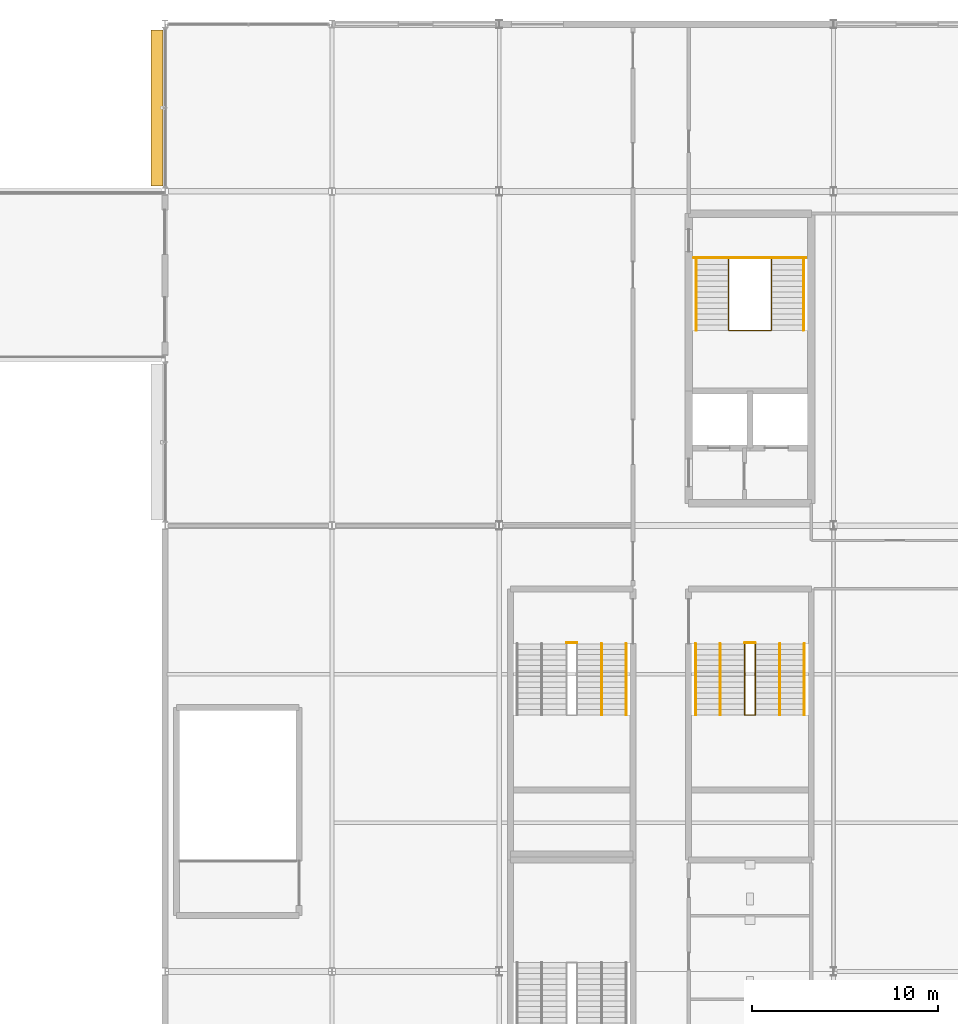
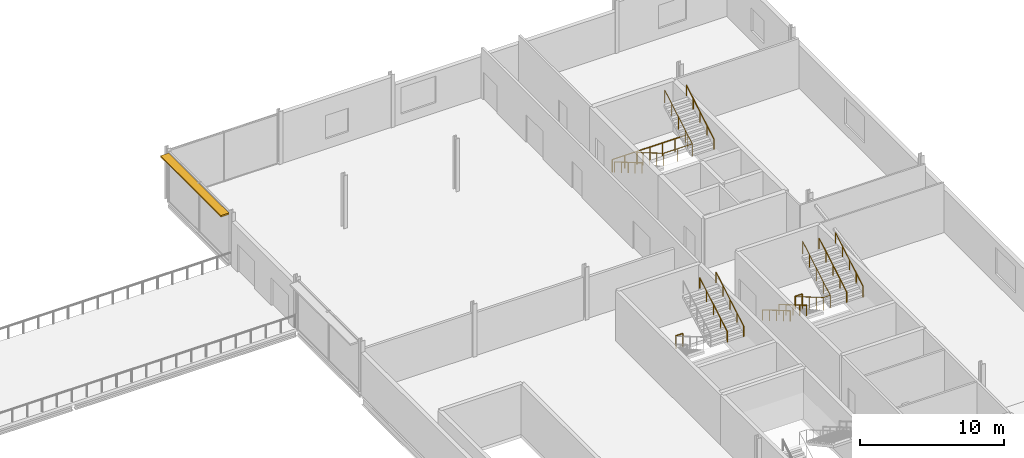
# One storey, part 72 of 73: 13 railings, 1 shading device.
"""IFC4 building model written with IfcOpenShell, lengths in metres."""

from ifc_helpers import new_model, si_unit, direction, frame, origin, origin_2d, place, context, subcontext, project, spatial, rectangle, circle, extrude, material, type_object, element, save


model = new_model("IFC4")

# Units and contexts
model_context = context("Model", 3, precision=1e-05, world=origin(), true_north=direction((0.0, 1.0)))
body_context = subcontext(model_context, "Body", "Model", "MODEL_VIEW")
ifc_project = project(units=[si_unit("LENGTHUNIT", "METRE"), si_unit("AREAUNIT", "SQUARE_METRE"), si_unit("VOLUMEUNIT", "CUBIC_METRE"), si_unit("PLANEANGLEUNIT", "RADIAN"), si_unit("MASSUNIT", "GRAM", prefix="KILO")], contexts=[model_context])

# Site, building, storey
site_placement = place(None, origin())
site = spatial("IfcSite", under=ifc_project, at=site_placement, CompositionType="ELEMENT")
building_placement = place(site_placement, origin())
building = spatial("IfcBuilding", under=site, at=building_placement, Name="Kisiwana Market Hall", CompositionType="ELEMENT")
storey_placement = place(building_placement, frame((0.0, 0.0, 33.300048828125)))
storey = spatial("IfcBuildingStorey", under=building, at=storey_placement, Name="L07", CompositionType="ELEMENT", Elevation=33.300048828125)

# Railings
ifc_material_1 = material(Name="Steel S275", Category="steel")
railing_type_1 = type_object("IfcRailingType", Name="RL-GUARD-1100", PredefinedType="GUARDRAIL", material=ifc_material_1)
railing_1_placement = place(storey_placement, frame((183.35009765625, 98.3505859375, 0.0)))
element("IfcRailing", 1, at=railing_1_placement, inside=storey, type_object=railing_type_1, Name="Stair ST-E1-L07 inner-well guardrail (RL-1063)", PredefinedType="GUARDRAIL", context=body_context, shape_type="SweptSolid", body=[
    extrude(circle(Radius=0.02392578125, at=origin_2d()), frame((0.0, 0.0, 1.076171875), z_axis=(0.0, -0.86252362769, 0.506016789916), x_axis=(1.0, 0.0, 0.0)), (0.0, 0.0, 1.0), 4.446533203125),
    extrude(circle(Radius=0.02392578125, at=origin_2d()), frame((0.0, -3.835205078125, 3.326171875), z_axis=(1.0, 0.0, 0.0), x_axis=(0.0, 1.0, 0.0)), (0.0, 0.0, 1.0), 2.2998046875),
    extrude(circle(Radius=0.02392578125, at=origin_2d()), frame((2.2998046875, -3.835205078125, 3.326171875), z_axis=(0.0, 0.86252362769, 0.506016789916), x_axis=(-1.0, 0.0, 0.0)), (0.0, 0.0, 1.0), 4.446533203125),
    extrude(circle(Radius=0.02099609375, at=origin_2d()), origin(), (0.0, 0.0, 1.0), 1.052001953125),
    extrude(circle(Radius=0.02099609375, at=origin_2d()), frame((0.0, -0.958740234375, 0.5625)), (0.0, 0.0, 1.0), 1.052001953125),
    extrude(circle(Radius=0.02099609375, at=origin_2d()), frame((0.0, -1.91748046875, 1.125)), (0.0, 0.0, 1.0), 1.052001953125),
    extrude(circle(Radius=0.02099609375, at=origin_2d()), frame((0.0, -2.87646484375, 1.6875)), (0.0, 0.0, 1.0), 1.052001953125),
    extrude(circle(Radius=0.02099609375, at=origin_2d()), frame((0.0, -3.835205078125, 2.25)), (0.0, 0.0, 1.0), 1.052001953125),
    extrude(circle(Radius=0.02099609375, at=origin_2d()), frame((1.14990234375, -3.835205078125, 2.25)), (0.0, 0.0, 1.0), 1.052001953125),
    extrude(circle(Radius=0.02099609375, at=origin_2d()), frame((2.2998046875, -3.835205078125, 2.25)), (0.0, 0.0, 1.0), 1.052001953125),
    extrude(circle(Radius=0.02099609375, at=origin_2d()), frame((2.2998046875, -2.87646484375, 2.8125)), (0.0, 0.0, 1.0), 1.052001953125),
    extrude(circle(Radius=0.02099609375, at=origin_2d()), frame((2.2998046875, -1.91748046875, 3.375)), (0.0, 0.0, 1.0), 1.052001953125),
    extrude(circle(Radius=0.02099609375, at=origin_2d()), frame((2.2998046875, -0.958740234375, 3.9375)), (0.0, 0.0, 1.0), 1.052001953125),
    extrude(circle(Radius=0.02099609375, at=origin_2d()), frame((2.2998046875, 0.0, 4.5)), (0.0, 0.0, 1.0), 1.052001953125),
])
railing_2_placement = place(storey_placement, frame((181.47998046875, 98.430419921875, 0.0)))
element("IfcRailing", 2, at=railing_2_placement, inside=storey, type_object=railing_type_1, Name="Stair ST-E1-L07 landing edge guardrail (RL-1066)", PredefinedType="GUARDRAIL", context=body_context, shape_type="SweptSolid", body=[
    extrude(circle(Radius=0.02392578125, at=origin_2d()), frame((0.0, 0.0, 1.076171875), z_axis=(1.0, 0.0, 0.0), x_axis=(0.0, 1.0, 0.0)), (0.0, 0.0, 1.0), 6.0400390625),
    extrude(circle(Radius=0.02099609375, at=origin_2d()), origin(), (0.0, 0.0, 1.0), 1.052001953125),
    extrude(circle(Radius=0.02099609375, at=origin_2d()), frame((1.006591796875, 0.0, 0.0)), (0.0, 0.0, 1.0), 1.052001953125),
    extrude(circle(Radius=0.02099609375, at=origin_2d()), frame((2.013427734375, 0.0, 0.0)), (0.0, 0.0, 1.0), 1.052001953125),
    extrude(circle(Radius=0.02099609375, at=origin_2d()), frame((3.02001953125, 0.0, 0.0)), (0.0, 0.0, 1.0), 1.052001953125),
    extrude(circle(Radius=0.02099609375, at=origin_2d()), frame((4.026611328125, 0.0, 0.0)), (0.0, 0.0, 1.0), 1.052001953125),
    extrude(circle(Radius=0.02099609375, at=origin_2d()), frame((5.033447265625, 0.0, 0.0)), (0.0, 0.0, 1.0), 1.052001953125),
    extrude(circle(Radius=0.02099609375, at=origin_2d()), frame((6.0400390625, 0.0, 0.0)), (0.0, 0.0, 1.0), 1.052001953125),
])
railing_3_placement = place(storey_placement, frame((184.219970703125, 77.639892578125, 0.0)))
element("IfcRailing", 3, at=railing_3_placement, inside=storey, type_object=railing_type_1, Name="Stair ST-E4-L07 inner-well guardrail (RL-1085)", PredefinedType="GUARDRAIL", context=body_context, shape_type="SweptSolid", body=[
    extrude(circle(Radius=0.02392578125, at=origin_2d()), frame((0.0, 0.0, 1.076171875), z_axis=(0.0, -0.86250956776, 0.506040754805), x_axis=(1.0, 0.0, 0.0)), (0.0, 0.0, 1.0), 4.4462890625),
    extrude(circle(Radius=0.02392578125, at=origin_2d()), frame((0.0, -3.8349609375, 3.326171875), z_axis=(1.0, 0.0, 0.0), x_axis=(0.0, 1.0, 0.0)), (0.0, 0.0, 1.0), 0.56005859375),
    extrude(circle(Radius=0.02392578125, at=origin_2d()), frame((0.56005859375, -3.8349609375, 3.326171875), z_axis=(0.0, 0.86250956776, 0.506040754805), x_axis=(-1.0, 0.0, 0.0)), (0.0, 0.0, 1.0), 4.4462890625),
    extrude(circle(Radius=0.02099609375, at=origin_2d()), origin(), (0.0, 0.0, 1.0), 1.052001953125),
    extrude(circle(Radius=0.02099609375, at=origin_2d()), frame((0.0, -0.958740234375, 0.5625)), (0.0, 0.0, 1.0), 1.052001953125),
    extrude(circle(Radius=0.02099609375, at=origin_2d()), frame((0.0, -1.91748046875, 1.125)), (0.0, 0.0, 1.0), 1.052001953125),
    extrude(circle(Radius=0.02099609375, at=origin_2d()), frame((0.0, -2.876220703125, 1.6875)), (0.0, 0.0, 1.0), 1.052001953125),
    extrude(circle(Radius=0.02099609375, at=origin_2d()), frame((0.0, -3.8349609375, 2.25)), (0.0, 0.0, 1.0), 1.052001953125),
    extrude(circle(Radius=0.02099609375, at=origin_2d()), frame((0.56005859375, -3.8349609375, 2.25)), (0.0, 0.0, 1.0), 1.052001953125),
    extrude(circle(Radius=0.02099609375, at=origin_2d()), frame((0.56005859375, -2.876220703125, 2.8125)), (0.0, 0.0, 1.0), 1.052001953125),
    extrude(circle(Radius=0.02099609375, at=origin_2d()), frame((0.56005859375, -1.91748046875, 3.375)), (0.0, 0.0, 1.0), 1.052001953125),
    extrude(circle(Radius=0.02099609375, at=origin_2d()), frame((0.56005859375, -0.958740234375, 3.9375)), (0.0, 0.0, 1.0), 1.052001953125),
    extrude(circle(Radius=0.02099609375, at=origin_2d()), frame((0.56005859375, 0.0, 4.5)), (0.0, 0.0, 1.0), 1.052001953125),
])
railing_4_placement = place(storey_placement, frame((184.219970703125, 77.68994140625, 0.0)))
element("IfcRailing", 4, at=railing_4_placement, inside=storey, type_object=railing_type_1, Name="Stair ST-E4-L07 landing edge guardrail (RL-1090)", PredefinedType="GUARDRAIL", context=body_context, shape_type="SweptSolid", body=[
    extrude(circle(Radius=0.02392578125, at=origin_2d()), frame((0.0, 0.0, 1.076171875), z_axis=(1.0, 0.0, 0.0), x_axis=(0.0, 1.0, 0.0)), (0.0, 0.0, 1.0), 0.56005859375),
    extrude(circle(Radius=0.02099609375, at=origin_2d()), origin(), (0.0, 0.0, 1.0), 1.052001953125),
    extrude(circle(Radius=0.02099609375, at=origin_2d()), frame((0.56005859375, 0.0, 0.0)), (0.0, 0.0, 1.0), 1.052001953125),
])
railing_5_placement = place(storey_placement, frame((174.6201171875, 77.68994140625, 0.0)))
element("IfcRailing", 5, at=railing_5_placement, inside=storey, type_object=railing_type_1, Name="Stair ST-E8-L07 landing edge guardrail (RL-1114)", PredefinedType="GUARDRAIL", context=body_context, shape_type="SweptSolid", body=[
    extrude(circle(Radius=0.02392578125, at=origin_2d()), frame((0.0, 0.0, 1.076171875), z_axis=(1.0, 0.0, 0.0), x_axis=(0.0, 1.0, 0.0)), (0.0, 0.0, 1.0), 0.559814453125),
    extrude(circle(Radius=0.02099609375, at=origin_2d()), origin(), (0.0, 0.0, 1.0), 1.052001953125),
    extrude(circle(Radius=0.02099609375, at=origin_2d()), frame((0.559814453125, 0.0, 0.0)), (0.0, 0.0, 1.0), 1.052001953125),
])
ifc_material_2 = material(Name="Steel S275", Category="steel")
railing_type_2 = type_object("IfcRailingType", Name="RL-HAND-900", PredefinedType="HANDRAIL", material=ifc_material_2)
railing_6_placement = place(storey_placement, frame((181.610107421875, 98.3505859375, 0.0)))
element("IfcRailing", 6, at=railing_6_placement, inside=storey, type_object=railing_type_2, Name="Stair ST-E1-L07 flight 1 handrail (RL-1064)", PredefinedType="HANDRAIL", context=body_context, shape_type="SweptSolid", body=[
    extrude(circle(Radius=0.02392578125, at=origin_2d()), frame((0.0, 0.0, 0.8759765625), z_axis=(0.0, -0.86252362769, 0.506016789916), x_axis=(1.0, 0.0, 0.0)), (0.0, 0.0, 1.0), 4.446533203125),
    extrude(circle(Radius=0.02099609375, at=origin_2d()), origin(), (0.0, 0.0, 1.0), 0.851806640625),
    extrude(circle(Radius=0.02099609375, at=origin_2d()), frame((0.0, -0.958740234375, 0.5625)), (0.0, 0.0, 1.0), 0.851806640625),
    extrude(circle(Radius=0.02099609375, at=origin_2d()), frame((0.0, -1.91748046875, 1.125)), (0.0, 0.0, 1.0), 0.851806640625),
    extrude(circle(Radius=0.02099609375, at=origin_2d()), frame((0.0, -2.87646484375, 1.6875)), (0.0, 0.0, 1.0), 0.851806640625),
    extrude(circle(Radius=0.02099609375, at=origin_2d()), frame((0.0, -3.835205078125, 2.25)), (0.0, 0.0, 1.0), 0.851806640625),
])
railing_7_placement = place(storey_placement, frame((187.389892578125, 94.515380859375, 2.25)))
element("IfcRailing", 7, at=railing_7_placement, inside=storey, type_object=railing_type_2, Name="Stair ST-E1-L07 flight 2 handrail (RL-1065)", PredefinedType="HANDRAIL", context=body_context, shape_type="SweptSolid", body=[
    extrude(circle(Radius=0.02392578125, at=origin_2d()), frame((0.0, 0.0, 0.8759765625), z_axis=(0.0, 0.86252362769, 0.506016789916), x_axis=(-1.0, 0.0, 0.0)), (0.0, 0.0, 1.0), 4.446533203125),
    extrude(circle(Radius=0.02099609375, at=origin_2d()), origin(), (0.0, 0.0, 1.0), 0.851806640625),
    extrude(circle(Radius=0.02099609375, at=origin_2d()), frame((0.0, 0.958740234375, 0.5625)), (0.0, 0.0, 1.0), 0.851806640625),
    extrude(circle(Radius=0.02099609375, at=origin_2d()), frame((0.0, 1.91748046875, 1.125)), (0.0, 0.0, 1.0), 0.851806640625),
    extrude(circle(Radius=0.02099609375, at=origin_2d()), frame((0.0, 2.87646484375, 1.6875)), (0.0, 0.0, 1.0), 0.851806640625),
    extrude(circle(Radius=0.02099609375, at=origin_2d()), frame((0.0, 3.835205078125, 2.25)), (0.0, 0.0, 1.0), 0.851806640625),
])
railing_8_placement = place(storey_placement, frame((181.570068359375, 77.639892578125, 0.0)))
element("IfcRailing", 8, at=railing_8_placement, inside=storey, type_object=railing_type_2, Name="Stair ST-E4-L07 flight 1 handrail (RL-1086)", PredefinedType="HANDRAIL", context=body_context, shape_type="SweptSolid", body=[
    extrude(circle(Radius=0.02392578125, at=origin_2d()), frame((0.0, 0.0, 0.8759765625), z_axis=(0.0, -0.86250956776, 0.506040754805), x_axis=(1.0, 0.0, 0.0)), (0.0, 0.0, 1.0), 4.4462890625),
    extrude(circle(Radius=0.02099609375, at=origin_2d()), origin(), (0.0, 0.0, 1.0), 0.851806640625),
    extrude(circle(Radius=0.02099609375, at=origin_2d()), frame((0.0, -0.958740234375, 0.5625)), (0.0, 0.0, 1.0), 0.851806640625),
    extrude(circle(Radius=0.02099609375, at=origin_2d()), frame((0.0, -1.91748046875, 1.125)), (0.0, 0.0, 1.0), 0.851806640625),
    extrude(circle(Radius=0.02099609375, at=origin_2d()), frame((0.0, -2.876220703125, 1.6875)), (0.0, 0.0, 1.0), 0.851806640625),
    extrude(circle(Radius=0.02099609375, at=origin_2d()), frame((0.0, -3.8349609375, 2.25)), (0.0, 0.0, 1.0), 0.851806640625),
])
railing_9_placement = place(storey_placement, frame((187.429931640625, 73.804931640625, 2.25)))
element("IfcRailing", 9, at=railing_9_placement, inside=storey, type_object=railing_type_2, Name="Stair ST-E4-L07 flight 2 handrail (RL-1087)", PredefinedType="HANDRAIL", context=body_context, shape_type="SweptSolid", body=[
    extrude(circle(Radius=0.02392578125, at=origin_2d()), frame((0.0, 0.0, 0.8759765625), z_axis=(0.0, 0.86250956776, 0.506040754805), x_axis=(-1.0, 0.0, 0.0)), (0.0, 0.0, 1.0), 4.4462890625),
    extrude(circle(Radius=0.02099609375, at=origin_2d()), origin(), (0.0, 0.0, 1.0), 0.851806640625),
    extrude(circle(Radius=0.02099609375, at=origin_2d()), frame((0.0, 0.958740234375, 0.5625)), (0.0, 0.0, 1.0), 0.851806640625),
    extrude(circle(Radius=0.02099609375, at=origin_2d()), frame((0.0, 1.91748046875, 1.125)), (0.0, 0.0, 1.0), 0.851806640625),
    extrude(circle(Radius=0.02099609375, at=origin_2d()), frame((0.0, 2.876220703125, 1.6875)), (0.0, 0.0, 1.0), 0.851806640625),
    extrude(circle(Radius=0.02099609375, at=origin_2d()), frame((0.0, 3.8349609375, 2.25)), (0.0, 0.0, 1.0), 0.851806640625),
])
railing_10_placement = place(storey_placement, frame((182.889892578125, 77.639892578125, 0.0)))
element("IfcRailing", 10, at=railing_10_placement, inside=storey, type_object=railing_type_2, Name="Stair ST-E4-L07 flight 1 intermediate handrail (RL-1088)", PredefinedType="HANDRAIL", context=body_context, shape_type="SweptSolid", body=[
    extrude(circle(Radius=0.02392578125, at=origin_2d()), frame((0.0, 0.0, 0.8759765625), z_axis=(0.0, -0.86250956776, 0.506040754805), x_axis=(1.0, 0.0, 0.0)), (0.0, 0.0, 1.0), 4.4462890625),
    extrude(circle(Radius=0.02099609375, at=origin_2d()), origin(), (0.0, 0.0, 1.0), 0.851806640625),
    extrude(circle(Radius=0.02099609375, at=origin_2d()), frame((0.0, -0.958740234375, 0.5625)), (0.0, 0.0, 1.0), 0.851806640625),
    extrude(circle(Radius=0.02099609375, at=origin_2d()), frame((0.0, -1.91748046875, 1.125)), (0.0, 0.0, 1.0), 0.851806640625),
    extrude(circle(Radius=0.02099609375, at=origin_2d()), frame((0.0, -2.876220703125, 1.6875)), (0.0, 0.0, 1.0), 0.851806640625),
    extrude(circle(Radius=0.02099609375, at=origin_2d()), frame((0.0, -3.8349609375, 2.25)), (0.0, 0.0, 1.0), 0.851806640625),
])
for number, where, name in (
    (11, (186.110107421875, 73.804931640625, 2.25), "Stair ST-E4-L07 flight 2 intermediate handrail (RL-1089)"),
    (12, (177.830078125, 73.804931640625, 2.25), "Stair ST-E8-L07 flight 2 handrail (RL-1111)"),
    (13, (176.510009765625, 73.804931640625, 2.25), "Stair ST-E8-L07 flight 2 intermediate handrail (RL-1113)"),
):
    element("IfcRailing", number, at=place(storey_placement, frame(where)), inside=storey, type_object=railing_type_2, Name=name, PredefinedType="HANDRAIL", context=body_context, shape_type="SweptSolid", body=[
        extrude(circle(Radius=0.02392578125, at=origin_2d()), frame((0.0, 0.0, 0.8759765625), z_axis=(0.0, 0.86250956776, 0.506040754805), x_axis=(-1.0, 0.0, 0.0)), (0.0, 0.0, 1.0), 4.4462890625),
        extrude(circle(Radius=0.02099609375, at=origin_2d()), origin(), (0.0, 0.0, 1.0), 0.851806640625),
        extrude(circle(Radius=0.02099609375, at=origin_2d()), frame((0.0, 0.958740234375, 0.5625)), (0.0, 0.0, 1.0), 0.851806640625),
        extrude(circle(Radius=0.02099609375, at=origin_2d()), frame((0.0, 1.91748046875, 1.125)), (0.0, 0.0, 1.0), 0.851806640625),
        extrude(circle(Radius=0.02099609375, at=origin_2d()), frame((0.0, 2.876220703125, 1.6875)), (0.0, 0.0, 1.0), 0.851806640625),
        extrude(circle(Radius=0.02099609375, at=origin_2d()), frame((0.0, 3.8349609375, 2.25)), (0.0, 0.0, 1.0), 0.851806640625),
    ])

# Shading device
ifc_material_3 = material(Name="Aluminium alloy 6063-T6", Category="aluminium")
shading_device_type = type_object("IfcShadingDeviceType", Name="SHD-JALOUSIE-H", PredefinedType="JALOUSIE", material=ifc_material_3)
shading_device_placement = place(storey_placement, frame((152.580078125, 106.5, 4.074951171875), z_axis=(0.0, 0.0, 1.0), x_axis=(0.0, 1.0, 0.0)))
element("IfcShadingDevice", 14, at=shading_device_placement, inside=storey, type_object=shading_device_type, Name="Aluminium brise-soleil louvre SHD-176 SD-175", PredefinedType="JALOUSIE", context=body_context, shape_type="SweptSolid", body=[
    extrude(rectangle(XDim=8.39990234375, YDim=0.64990234375, at=origin_2d()), origin(), (0.0, 0.0, 1.0), 0.1201171875),
])

save(model, "model.ifc")
